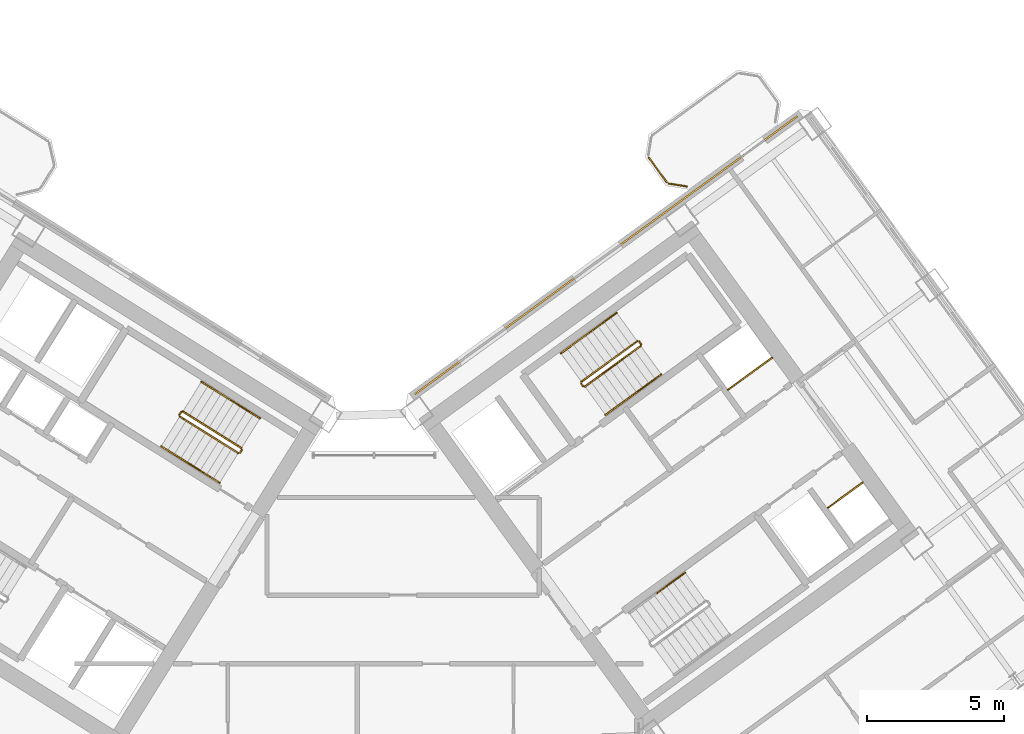
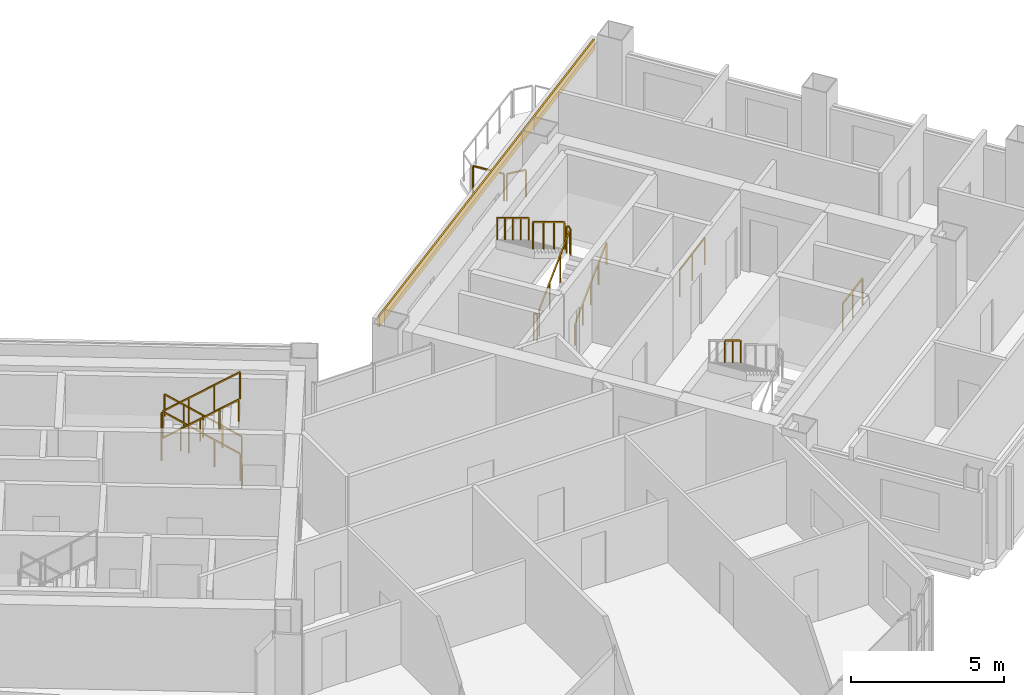
# One storey, part 28 of 29: 21 railings, 1 covering.
"""IFC4 building model written with IfcOpenShell, lengths in metres."""

from ifc_helpers import new_model, si_unit, direction, frame, origin, origin_2d, place, context, subcontext, project, spatial, rectangle, extrude, source, transform, mapped, material, layer, layer_set, type_object, element, save


model = new_model("IFC4")

# Units and contexts
model_context = context("Model", 3, precision=1e-05, world=origin(), true_north=direction((0.0, 1.0)))
body_context = subcontext(model_context, "Body", "Model", "MODEL_VIEW")
ifc_project = project(units=[si_unit("LENGTHUNIT", "METRE"), si_unit("AREAUNIT", "SQUARE_METRE"), si_unit("VOLUMEUNIT", "CUBIC_METRE"), si_unit("PLANEANGLEUNIT", "RADIAN"), si_unit("MASSUNIT", "GRAM", prefix="KILO")], contexts=[model_context])

# Site, building, storey
site_placement = place(None, origin())
site = spatial("IfcSite", under=ifc_project, at=site_placement, CompositionType="ELEMENT")
building_placement = place(site_placement, origin())
building = spatial("IfcBuilding", under=site, at=building_placement, Name="Tlacorven Tower", CompositionType="ELEMENT")
storey_placement = place(building_placement, frame((0.0, 0.0, 165.89990234375)))
storey = spatial("IfcBuildingStorey", under=building, at=storey_placement, Name="L42", CompositionType="ELEMENT", Elevation=165.89990234375)

# Railings
ifc_material_1 = material(Name="Aluminium and painted steel balustrade", Category="steel")
railing_type_1 = type_object("IfcRailingType", Name="RL-GRD-1100", PredefinedType="GUARDRAIL", material=ifc_material_1)
shared_shape_1 = source(origin(), body_context, "Body", "SweptSolid", [
    extrude(rectangle(XDim=0.048095703125, YDim=0.048095703125, at=origin_2d()), frame((0.0, 0.0, 1.076171875), z_axis=(0.808947177504, 0.587881334972, 0.0), x_axis=(-0.587881334972, 0.808947177504, 0.0)), (0.0, 0.0, 1.0), 2.0),
    extrude(rectangle(XDim=0.0419921875, YDim=0.0419921875, at=origin_2d()), origin(), (0.0, 0.0, 1.0), 1.052001953125),
    extrude(rectangle(XDim=0.0419921875, YDim=0.0419921875, at=origin_2d()), frame((0.80908203125, 0.587890625, 0.0)), (0.0, 0.0, 1.0), 1.052001953125),
    extrude(rectangle(XDim=0.0419921875, YDim=0.0419921875, at=origin_2d()), frame((1.617919921875, 1.17578125, 0.0)), (0.0, 0.0, 1.0), 1.052001953125),
])
railing_1_placement = place(storey_placement, frame((55.506103515625, 25.438232421875, 0.0)))
element("IfcRailing", 1, at=railing_1_placement, inside=storey, type_object=railing_type_1, Name="L42 Electrical Riser E Shaft Guard 1", PredefinedType="GUARDRAIL", context=body_context, shape_type="MappedRepresentation", body=[
    mapped(shared_shape_1, transform((0.0, 0.0, 0.0), scale=1.0)),
])
shared_shape_2 = source(origin(), body_context, "Body", "SweptSolid", [
    extrude(rectangle(XDim=0.048095703125, YDim=0.048095703125, at=origin_2d()), frame((0.0, 0.0, 1.076171875), z_axis=(0.809029975545, 0.58776738483, 0.0), x_axis=(-0.58776738483, 0.809029975545, 0.0)), (0.0, 0.0, 1.0), 1.580078125),
    extrude(rectangle(XDim=0.0419921875, YDim=0.0419921875, at=origin_2d()), origin(), (0.0, 0.0, 1.0), 1.052001953125),
    extrude(rectangle(XDim=0.0419921875, YDim=0.0419921875, at=origin_2d()), frame((0.63916015625, 0.46435546875, 0.0)), (0.0, 0.0, 1.0), 1.052001953125),
    extrude(rectangle(XDim=0.0419921875, YDim=0.0419921875, at=origin_2d()), frame((1.2783203125, 0.9287109375, 0.0)), (0.0, 0.0, 1.0), 1.052001953125),
])
railing_2_placement = place(storey_placement, frame((59.160888671875, 21.122314453125, 0.0)))
element("IfcRailing", 2, at=railing_2_placement, inside=storey, type_object=railing_type_1, Name="L42 Smoke Riser E Shaft Guard 1", PredefinedType="GUARDRAIL", context=body_context, shape_type="MappedRepresentation", body=[
    mapped(shared_shape_2, transform((0.0, 0.0, 0.0), scale=1.0)),
])
railing_type_2 = type_object("IfcRailingType", Name="RL-BAL-1100", PredefinedType="BALUSTRADE", material=ifc_material_1)
shared_shape_3 = source(origin(), body_context, "Body", "SweptSolid", [
    extrude(rectangle(XDim=0.048095703125, YDim=0.048095703125, at=origin_2d()), frame((0.0, 0.0, 1.076171875), z_axis=(-0.987718317463, 0.156245081039, 0.0), x_axis=(-0.156245081039, -0.987718317463, 0.0)), (0.0, 0.0, 1.0), 0.66552734375),
    extrude(rectangle(XDim=0.0419921875, YDim=0.0419921875, at=origin_2d()), origin(), (0.0, 0.0, 1.0), 1.052001953125),
    extrude(rectangle(XDim=0.0419921875, YDim=0.0419921875, at=origin_2d()), frame((-0.657470703125, 0.10400390625, 0.0)), (0.0, 0.0, 1.0), 1.052001953125),
])
railing_3_placement = place(storey_placement, frame((54.00341796875, 32.8759765625, 0.0)))
element("IfcRailing", 3, at=railing_3_placement, inside=storey, type_object=railing_type_2, Name="BAL-L42-E-IN Guard Railing 1", PredefinedType="BALUSTRADE", context=body_context, shape_type="MappedRepresentation", body=[
    mapped(shared_shape_3, transform((0.0, 0.0, 0.0), scale=1.0)),
])
shared_shape_4 = source(origin(), body_context, "Body", "SweptSolid", [
    extrude(rectangle(XDim=0.048095703125, YDim=0.048095703125, at=origin_2d()), frame((0.0, 0.0, 1.076171875), z_axis=(-0.587740817519, 0.809049276263, 0.0), x_axis=(-0.809049276263, -0.587740817519, 0.0)), (0.0, 0.0, 1.0), 1.112060546875),
    extrude(rectangle(XDim=0.0419921875, YDim=0.0419921875, at=origin_2d()), origin(), (0.0, 0.0, 1.0), 1.052001953125),
    extrude(rectangle(XDim=0.0419921875, YDim=0.0419921875, at=origin_2d()), frame((-0.653564453125, 0.899658203125, 0.0)), (0.0, 0.0, 1.0), 1.052001953125),
])
railing_4_placement = place(storey_placement, frame((53.26708984375, 33.0283203125, 0.0)))
element("IfcRailing", 4, at=railing_4_placement, inside=storey, type_object=railing_type_2, Name="BAL-L42-E-IN Guard Railing 2", PredefinedType="BALUSTRADE", context=body_context, shape_type="MappedRepresentation", body=[
    mapped(shared_shape_4, transform((0.0, 0.0, 0.0), scale=1.0)),
])

# Covering
ifc_material_2 = material(Name="Precast concrete C45/55", Category="concrete")
ifc_layer = layer(ifc_material_2, 0.06005859375)
ifc_layer_set = layer_set([ifc_layer], Name="Precast concrete C45/55")
covering_type = type_object("IfcCoveringType", Name="CV-CLD-TERC", PredefinedType="CLADDING", material=ifc_layer_set)
shared_shape_5 = source(origin(), body_context, "Body", "SweptSolid", [
    extrude(rectangle(XDim=17.287353515625, YDim=0.06005859375, at=origin_2d()), origin(), (0.0, 0.0, 1.0), 0.419921875),
])
covering_placement = place(storey_placement, frame((51.05224609375, 30.360595703125, 2.900146484375), z_axis=(0.0, 0.0, 1.0), x_axis=(0.809017097486, 0.587785110372, 0.0)))
element("IfcCovering", 5, at=covering_placement, inside=storey, type_object=covering_type, Name="L42 Masonry-Frame Spandrel Cladding 4", PredefinedType="CLADDING", context=body_context, shape_type="MappedRepresentation", body=[
    mapped(shared_shape_5, transform((0.0, 0.0, 0.0), scale=1.0)),
])

# Railings
shared_shape_6 = source(origin(), body_context, "Body", "SweptSolid", [
    extrude(rectangle(XDim=0.048095703125, YDim=0.048095703125, at=origin_2d()), frame((0.0, 0.0, 1.076171875), z_axis=(-0.530546985787, -0.847655529016, 0.0), x_axis=(0.847655529016, -0.530546985787, 0.0)), (0.0, 0.0, 1.0), 0.1201171875),
    extrude(rectangle(XDim=0.0419921875, YDim=0.0419921875, at=origin_2d()), origin(), (0.0, 0.0, 1.0), 1.052001953125),
    extrude(rectangle(XDim=0.0419921875, YDim=0.0419921875, at=origin_2d()), frame((-0.063720703125, -0.101806640625, 0.0)), (0.0, 0.0, 1.0), 1.052001953125),
])
railing_5_placement = place(storey_placement, frame((37.728271484375, 23.24072265625, 0.0)))
element("IfcRailing", 6, at=railing_5_placement, inside=storey, type_object=railing_type_1, Name="L42 ST-W2 stair guard 4", PredefinedType="GUARDRAIL", context=body_context, shape_type="MappedRepresentation", body=[
    mapped(shared_shape_6, transform((0.0, 0.0, 0.0), scale=1.0)),
])
railing_type_3 = type_object("IfcRailingType", Name="RL-HND-0900", PredefinedType="HANDRAIL", material=ifc_material_1)
shared_shape_7 = source(origin(), body_context, "Body", "SweptSolid", [
    extrude(rectangle(XDim=0.048095703125, YDim=0.048095703125, at=origin_2d()), frame((0.0, 0.0, 0.8759765625), z_axis=(-0.713359751793, 0.4457479829, 0.540764828981), x_axis=(-0.529911857636, -0.848052724267, 0.0)), (0.0, 0.0, 1.0), 1.498046875),
    extrude(rectangle(XDim=0.0419921875, YDim=0.0419921875, at=origin_2d()), origin(), (0.0, 0.0, 1.0), 0.851806640625),
    extrude(rectangle(XDim=0.0419921875, YDim=0.0419921875, at=origin_2d()), frame((-0.5341796875, 0.333984375, 0.405029296875)), (0.0, 0.0, 1.0), 0.851806640625),
    extrude(rectangle(XDim=0.0419921875, YDim=0.0419921875, at=origin_2d()), frame((-1.068603515625, 0.667724609375, 0.81005859375)), (0.0, 0.0, 1.0), 0.851806640625),
])
railing_6_placement = place(storey_placement, frame((37.322021484375, 25.062744140625, 0.989990234375)))
element("IfcRailing", 7, at=railing_6_placement, inside=storey, type_object=railing_type_3, Name="L42 ST-W2 stair handrail 2", PredefinedType="HANDRAIL", context=body_context, shape_type="MappedRepresentation", body=[
    mapped(shared_shape_7, transform((0.0, 0.0, 0.0), scale=1.0)),
])
shared_shape_8 = source(origin(), body_context, "Body", "SweptSolid", [
    extrude(rectangle(XDim=0.048095703125, YDim=0.048095703125, at=origin_2d()), frame((0.0, 0.0, 0.8759765625), z_axis=(0.713359751793, -0.4457479829, 0.540764828981), x_axis=(0.529911857636, 0.848052724267, 0.0)), (0.0, 0.0, 1.0), 1.498046875),
    extrude(rectangle(XDim=0.0419921875, YDim=0.0419921875, at=origin_2d()), origin(), (0.0, 0.0, 1.0), 0.851806640625),
    extrude(rectangle(XDim=0.0419921875, YDim=0.0419921875, at=origin_2d()), frame((0.5341796875, -0.333984375, 0.405029296875)), (0.0, 0.0, 1.0), 0.851806640625),
    extrude(rectangle(XDim=0.0419921875, YDim=0.0419921875, at=origin_2d()), frame((1.068603515625, -0.667724609375, 0.81005859375)), (0.0, 0.0, 1.0), 0.851806640625),
])
for number, where, name in (
    (8, (34.7802734375, 23.372802734375, 1.97998046875), "L42 ST-W2 stair handrail 3"),
    (9, (35.848876953125, 22.705078125, 2.7900390625), "L42 ST-W2 stair handrail 4"),
):
    element("IfcRailing", number, at=place(storey_placement, frame(where)), inside=storey, type_object=railing_type_3, Name=name, PredefinedType="HANDRAIL", context=body_context, shape_type="MappedRepresentation", body=[
        mapped(shared_shape_8, transform((0.0, 0.0, 0.0), scale=1.0)),
    ])
shared_shape_9 = source(origin(), body_context, "Body", "SweptSolid", [
    extrude(rectangle(XDim=0.048095703125, YDim=0.048095703125, at=origin_2d()), frame((0.0, 0.0, 1.076171875), z_axis=(-0.713351164325, 0.445793541512, 0.540738601085), x_axis=(-0.529955395941, -0.84802551749, 0.0)), (0.0, 0.0, 1.0), 2.99560546875),
    extrude(rectangle(XDim=0.0419921875, YDim=0.0419921875, at=origin_2d()), origin(), (0.0, 0.0, 1.0), 1.052001953125),
    extrude(rectangle(XDim=0.0419921875, YDim=0.0419921875, at=origin_2d()), frame((-0.71240234375, 0.445068359375, 0.5400390625)), (0.0, 0.0, 1.0), 1.052001953125),
    extrude(rectangle(XDim=0.0419921875, YDim=0.0419921875, at=origin_2d()), frame((-1.424560546875, 0.890380859375, 1.079833984375)), (0.0, 0.0, 1.0), 1.052001953125),
    extrude(rectangle(XDim=0.0419921875, YDim=0.0419921875, at=origin_2d()), frame((-2.136962890625, 1.33544921875, 1.619873046875)), (0.0, 0.0, 1.0), 1.052001953125),
])
railing_7_placement = place(storey_placement, frame((37.712158203125, 23.3095703125, 0.18017578125)))
element("IfcRailing", 10, at=railing_7_placement, inside=storey, type_object=railing_type_1, Name="L42 ST-W2 stair guard 1", PredefinedType="GUARDRAIL", context=body_context, shape_type="MappedRepresentation", body=[
    mapped(shared_shape_9, transform((0.0, 0.0, 0.0), scale=1.0)),
])
shared_shape_10 = source(origin(), body_context, "Body", "SweptSolid", [
    extrude(rectangle(XDim=0.048095703125, YDim=0.048095703125, at=origin_2d()), frame((0.0, 0.0, 0.8759765625), z_axis=(-0.713422621445, 0.445787267455, 0.540649494022), x_axis=(-0.529911857636, -0.848052724267, 0.0)), (0.0, 0.0, 1.0), 1.497802734375),
    extrude(rectangle(XDim=0.0419921875, YDim=0.0419921875, at=origin_2d()), origin(), (0.0, 0.0, 1.0), 0.851806640625),
    extrude(rectangle(XDim=0.0419921875, YDim=0.0419921875, at=origin_2d()), frame((-0.5341796875, 0.333984375, 0.40478515625)), (0.0, 0.0, 1.0), 0.851806640625),
    extrude(rectangle(XDim=0.0419921875, YDim=0.0419921875, at=origin_2d()), frame((-1.068603515625, 0.667724609375, 0.809814453125)), (0.0, 0.0, 1.0), 0.851806640625),
])
railing_8_placement = place(storey_placement, frame((38.390625, 24.39501953125, 0.18017578125)))
element("IfcRailing", 11, at=railing_8_placement, inside=storey, type_object=railing_type_3, Name="L42 ST-W2 stair handrail 1", PredefinedType="HANDRAIL", context=body_context, shape_type="MappedRepresentation", body=[
    mapped(shared_shape_10, transform((0.0, 0.0, 0.0), scale=1.0)),
])
shared_shape_11 = source(origin(), body_context, "Body", "SweptSolid", [
    extrude(rectangle(XDim=0.048095703125, YDim=0.048095703125, at=origin_2d()), frame((0.0, 0.0, 1.076171875), z_axis=(-0.531462422766, -0.847081869236, 0.0), x_axis=(0.847081869236, -0.531462422766, 0.0)), (0.0, 0.0, 1.0), 0.119873046875),
    extrude(rectangle(XDim=0.0419921875, YDim=0.0419921875, at=origin_2d()), origin(), (0.0, 0.0, 1.0), 1.052001953125),
    extrude(rectangle(XDim=0.0419921875, YDim=0.0419921875, at=origin_2d()), frame((-0.063720703125, -0.1015625, 0.0)), (0.0, 0.0, 1.0), 1.052001953125),
])
railing_9_placement = place(storey_placement, frame((35.50634765625, 24.62890625, 1.800048828125)))
element("IfcRailing", 12, at=railing_9_placement, inside=storey, type_object=railing_type_1, Name="L42 ST-W2 stair guard 2", PredefinedType="GUARDRAIL", context=body_context, shape_type="MappedRepresentation", body=[
    mapped(shared_shape_11, transform((0.0, 0.0, 0.0), scale=1.0)),
])
shared_shape_12 = source(origin(), body_context, "Body", "SweptSolid", [
    extrude(rectangle(XDim=0.048095703125, YDim=0.048095703125, at=origin_2d()), frame((0.0, 0.0, 1.076171875), z_axis=(0.713385662783, -0.445682681033, 0.540784470897), x_axis=(0.52984217967, 0.848096259066, 0.0)), (0.0, 0.0, 1.0), 2.995849609375),
    extrude(rectangle(XDim=0.0419921875, YDim=0.0419921875, at=origin_2d()), origin(), (0.0, 0.0, 1.0), 1.052001953125),
    extrude(rectangle(XDim=0.0419921875, YDim=0.0419921875, at=origin_2d()), frame((0.71240234375, -0.445068359375, 0.5400390625)), (0.0, 0.0, 1.0), 1.052001953125),
    extrude(rectangle(XDim=0.0419921875, YDim=0.0419921875, at=origin_2d()), frame((1.4248046875, -0.89013671875, 1.080078125)), (0.0, 0.0, 1.0), 1.052001953125),
    extrude(rectangle(XDim=0.0419921875, YDim=0.0419921875, at=origin_2d()), frame((2.13720703125, -1.335205078125, 1.6201171875)), (0.0, 0.0, 1.0), 1.052001953125),
])
railing_10_placement = place(storey_placement, frame((35.45849609375, 24.458251953125, 1.97998046875)))
element("IfcRailing", 13, at=railing_10_placement, inside=storey, type_object=railing_type_1, Name="L42 ST-W2 stair guard 3", PredefinedType="GUARDRAIL", context=body_context, shape_type="MappedRepresentation", body=[
    mapped(shared_shape_12, transform((0.0, 0.0, 0.0), scale=1.0)),
])
shared_shape_13 = source(origin(), body_context, "Body", "SweptSolid", [
    extrude(rectangle(XDim=0.048095703125, YDim=0.048095703125, at=origin_2d()), frame((0.0, 0.0, 1.076171875), z_axis=(-0.587201422542, 0.809440849824, 0.0), x_axis=(-0.809440849824, -0.587201422542, 0.0)), (0.0, 0.0, 1.0), 0.11962890625),
    extrude(rectangle(XDim=0.0419921875, YDim=0.0419921875, at=origin_2d()), origin(), (0.0, 0.0, 1.0), 1.052001953125),
    extrude(rectangle(XDim=0.0419921875, YDim=0.0419921875, at=origin_2d()), frame((-0.0703125, 0.096923828125, 0.0)), (0.0, 0.0, 1.0), 1.052001953125),
])
for number, where, name in (
    (14, (52.326904296875, 27.10888671875, 1.800048828125), "L42 ST-E1 stair guard 2"),
    (15, (50.207275390625, 25.56884765625, 0.0), "L42 ST-E1 stair guard 4"),
):
    element("IfcRailing", number, at=place(storey_placement, frame(where)), inside=storey, type_object=railing_type_1, Name=name, PredefinedType="GUARDRAIL", context=body_context, shape_type="MappedRepresentation", body=[
        mapped(shared_shape_13, transform((0.0, 0.0, 0.0), scale=1.0)),
    ])
shared_shape_14 = source(origin(), body_context, "Body", "SweptSolid", [
    extrude(rectangle(XDim=0.048095703125, YDim=0.048095703125, at=origin_2d()), frame((0.0, 0.0, 1.076171875), z_axis=(-0.680488636597, -0.494434078831, 0.540805100894), x_axis=(0.5878087079, -0.808999952359, 0.0)), (0.0, 0.0, 1.0), 2.995849609375),
    extrude(rectangle(XDim=0.0419921875, YDim=0.0419921875, at=origin_2d()), origin(), (0.0, 0.0, 1.0), 1.052001953125),
    extrude(rectangle(XDim=0.0419921875, YDim=0.0419921875, at=origin_2d()), frame((-0.679443359375, -0.49365234375, 0.5400390625)), (0.0, 0.0, 1.0), 1.052001953125),
    extrude(rectangle(XDim=0.0419921875, YDim=0.0419921875, at=origin_2d()), frame((-1.359130859375, -0.987548828125, 1.080078125)), (0.0, 0.0, 1.0), 1.052001953125),
    extrude(rectangle(XDim=0.0419921875, YDim=0.0419921875, at=origin_2d()), frame((-2.03857421875, -1.481201171875, 1.6201171875)), (0.0, 0.0, 1.0), 1.052001953125),
])
railing_11_placement = place(storey_placement, frame((52.1865234375, 27.217041015625, 1.97998046875)))
element("IfcRailing", 16, at=railing_11_placement, inside=storey, type_object=railing_type_1, Name="L42 ST-E1 stair guard 3", PredefinedType="GUARDRAIL", context=body_context, shape_type="MappedRepresentation", body=[
    mapped(shared_shape_14, transform((0.0, 0.0, 0.0), scale=1.0)),
])
shared_shape_15 = source(origin(), body_context, "Body", "SweptSolid", [
    extrude(rectangle(XDim=0.048095703125, YDim=0.048095703125, at=origin_2d()), frame((0.0, 0.0, 0.8759765625), z_axis=(0.680548719995, 0.49444080854, 0.540723336433), x_axis=(-0.587779977844, 0.80902082646, 0.0)), (0.0, 0.0, 1.0), 1.498046875),
    extrude(rectangle(XDim=0.0419921875, YDim=0.0419921875, at=origin_2d()), origin(), (0.0, 0.0, 1.0), 0.851806640625),
    extrude(rectangle(XDim=0.0419921875, YDim=0.0419921875, at=origin_2d()), frame((0.509765625, 0.370361328125, 0.405029296875)), (0.0, 0.0, 1.0), 0.851806640625),
    extrude(rectangle(XDim=0.0419921875, YDim=0.0419921875, at=origin_2d()), frame((1.01953125, 0.74072265625, 0.81005859375)), (0.0, 0.0, 1.0), 0.851806640625),
])
railing_12_placement = place(storey_placement, frame((52.048828125, 25.2626953125, 0.989990234375)))
element("IfcRailing", 17, at=railing_12_placement, inside=storey, type_object=railing_type_3, Name="L42 ST-E1 stair handrail 2", PredefinedType="HANDRAIL", context=body_context, shape_type="MappedRepresentation", body=[
    mapped(shared_shape_15, transform((0.0, 0.0, 0.0), scale=1.0)),
])
shared_shape_16 = source(origin(), body_context, "Body", "SweptSolid", [
    extrude(rectangle(XDim=0.048095703125, YDim=0.048095703125, at=origin_2d()), frame((0.0, 0.0, 0.8759765625), z_axis=(-0.680603554404, -0.494317667746, 0.540766904577), x_axis=(0.587653156371, -0.809112951205, 0.0)), (0.0, 0.0, 1.0), 1.498046875),
    extrude(rectangle(XDim=0.0419921875, YDim=0.0419921875, at=origin_2d()), origin(), (0.0, 0.0, 1.0), 0.851806640625),
    extrude(rectangle(XDim=0.0419921875, YDim=0.0419921875, at=origin_2d()), frame((-0.509765625, -0.3701171875, 0.405029296875)), (0.0, 0.0, 1.0), 0.851806640625),
    extrude(rectangle(XDim=0.0419921875, YDim=0.0419921875, at=origin_2d()), frame((-1.01953125, -0.740478515625, 0.81005859375)), (0.0, 0.0, 1.0), 0.851806640625),
])
railing_13_placement = place(storey_placement, frame((51.434326171875, 28.25244140625, 1.97998046875)))
element("IfcRailing", 18, at=railing_13_placement, inside=storey, type_object=railing_type_3, Name="L42 ST-E1 stair handrail 3", PredefinedType="HANDRAIL", context=body_context, shape_type="MappedRepresentation", body=[
    mapped(shared_shape_16, transform((0.0, 0.0, 0.0), scale=1.0)),
])
shared_shape_17 = source(origin(), body_context, "Body", "SweptSolid", [
    extrude(rectangle(XDim=0.048095703125, YDim=0.048095703125, at=origin_2d()), frame((0.0, 0.0, 0.8759765625), z_axis=(-0.680461216233, -0.494495647917, 0.540783309093), x_axis=(0.587872112667, -0.808953879494, 0.0)), (0.0, 0.0, 1.0), 1.498046875),
    extrude(rectangle(XDim=0.0419921875, YDim=0.0419921875, at=origin_2d()), origin(), (0.0, 0.0, 1.0), 0.851806640625),
    extrude(rectangle(XDim=0.0419921875, YDim=0.0419921875, at=origin_2d()), frame((-0.509765625, -0.370361328125, 0.405029296875)), (0.0, 0.0, 1.0), 0.851806640625),
    extrude(rectangle(XDim=0.0419921875, YDim=0.0419921875, at=origin_2d()), frame((-1.019287109375, -0.74072265625, 0.81005859375)), (0.0, 0.0, 1.0), 0.851806640625),
])
railing_14_placement = place(storey_placement, frame((50.414794921875, 27.511962890625, 2.7900390625)))
element("IfcRailing", 19, at=railing_14_placement, inside=storey, type_object=railing_type_3, Name="L42 ST-E1 stair handrail 4", PredefinedType="HANDRAIL", context=body_context, shape_type="MappedRepresentation", body=[
    mapped(shared_shape_17, transform((0.0, 0.0, 0.0), scale=1.0)),
])
shared_shape_18 = source(origin(), body_context, "Body", "SweptSolid", [
    extrude(rectangle(XDim=0.048095703125, YDim=0.048095703125, at=origin_2d()), frame((0.0, 0.0, 1.076171875), z_axis=(0.680518627673, 0.494455869951, 0.540747436481), x_axis=(-0.5878087079, 0.808999952359, 0.0)), (0.0, 0.0, 1.0), 2.99560546875),
    extrude(rectangle(XDim=0.0419921875, YDim=0.0419921875, at=origin_2d()), origin(), (0.0, 0.0, 1.0), 1.052001953125),
    extrude(rectangle(XDim=0.0419921875, YDim=0.0419921875, at=origin_2d()), frame((0.679443359375, 0.49365234375, 0.5400390625)), (0.0, 0.0, 1.0), 1.052001953125),
    extrude(rectangle(XDim=0.0419921875, YDim=0.0419921875, at=origin_2d()), frame((1.359130859375, 0.987548828125, 1.079833984375)), (0.0, 0.0, 1.0), 1.052001953125),
    extrude(rectangle(XDim=0.0419921875, YDim=0.0419921875, at=origin_2d()), frame((2.03857421875, 1.481201171875, 1.619873046875)), (0.0, 0.0, 1.0), 1.052001953125),
])
railing_15_placement = place(storey_placement, frame((50.27734375, 25.557861328125, 0.18017578125)))
element("IfcRailing", 20, at=railing_15_placement, inside=storey, type_object=railing_type_1, Name="L42 ST-E1 stair guard 1", PredefinedType="GUARDRAIL", context=body_context, shape_type="MappedRepresentation", body=[
    mapped(shared_shape_18, transform((0.0, 0.0, 0.0), scale=1.0)),
])
shared_shape_19 = source(origin(), body_context, "Body", "SweptSolid", [
    extrude(rectangle(XDim=0.048095703125, YDim=0.048095703125, at=origin_2d()), frame((0.0, 0.0, 0.8759765625), z_axis=(0.680576044605, 0.494416082224, 0.54071155448), x_axis=(-0.587745292299, 0.809046025502, 0.0)), (0.0, 0.0, 1.0), 1.497802734375),
    extrude(rectangle(XDim=0.0419921875, YDim=0.0419921875, at=origin_2d()), origin(), (0.0, 0.0, 1.0), 0.851806640625),
    extrude(rectangle(XDim=0.0419921875, YDim=0.0419921875, at=origin_2d()), frame((0.509765625, 0.3701171875, 0.40478515625)), (0.0, 0.0, 1.0), 0.851806640625),
    extrude(rectangle(XDim=0.0419921875, YDim=0.0419921875, at=origin_2d()), frame((1.019287109375, 0.740478515625, 0.809814453125)), (0.0, 0.0, 1.0), 0.851806640625),
])
railing_16_placement = place(storey_placement, frame((51.029541015625, 24.522216796875, 0.18017578125)))
element("IfcRailing", 21, at=railing_16_placement, inside=storey, type_object=railing_type_3, Name="L42 ST-E1 stair handrail 1", PredefinedType="HANDRAIL", context=body_context, shape_type="MappedRepresentation", body=[
    mapped(shared_shape_19, transform((0.0, 0.0, 0.0), scale=1.0)),
])
shared_shape_20 = source(origin(), body_context, "Body", "SweptSolid", [
    extrude(rectangle(XDim=0.048095703125, YDim=0.048095703125, at=origin_2d()), frame((0.0, 0.0, 0.8759765625), z_axis=(-0.680516055757, -0.494372502302, 0.540826891737), x_axis=(0.587745292299, -0.809046025502, 0.0)), (0.0, 0.0, 1.0), 1.497802734375),
    extrude(rectangle(XDim=0.0419921875, YDim=0.0419921875, at=origin_2d()), origin(), (0.0, 0.0, 1.0), 0.851806640625),
    extrude(rectangle(XDim=0.0419921875, YDim=0.0419921875, at=origin_2d()), frame((-0.509765625, -0.3701171875, 0.405029296875)), (0.0, 0.0, 1.0), 0.851806640625),
    extrude(rectangle(XDim=0.0419921875, YDim=0.0419921875, at=origin_2d()), frame((-1.019287109375, -0.740478515625, 0.81005859375)), (0.0, 0.0, 1.0), 0.851806640625),
])
railing_17_placement = place(storey_placement, frame((53.938232421875, 18.749267578125, 1.97998046875)))
element("IfcRailing", 22, at=railing_17_placement, inside=storey, type_object=railing_type_3, Name="L42 ST-E2 stair handrail 3", PredefinedType="HANDRAIL", context=body_context, shape_type="MappedRepresentation", body=[
    mapped(shared_shape_20, transform((0.0, 0.0, 0.0), scale=1.0)),
])

save(model, "model.ifc")
